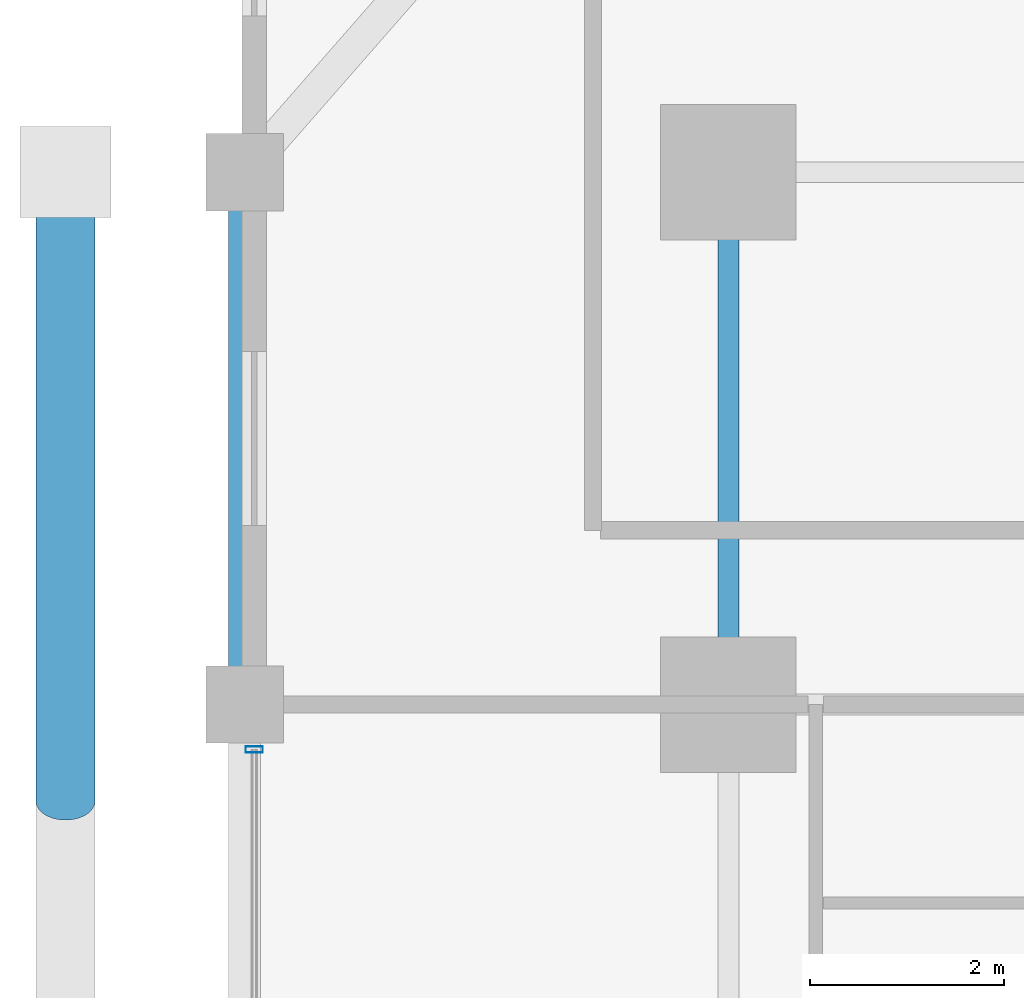
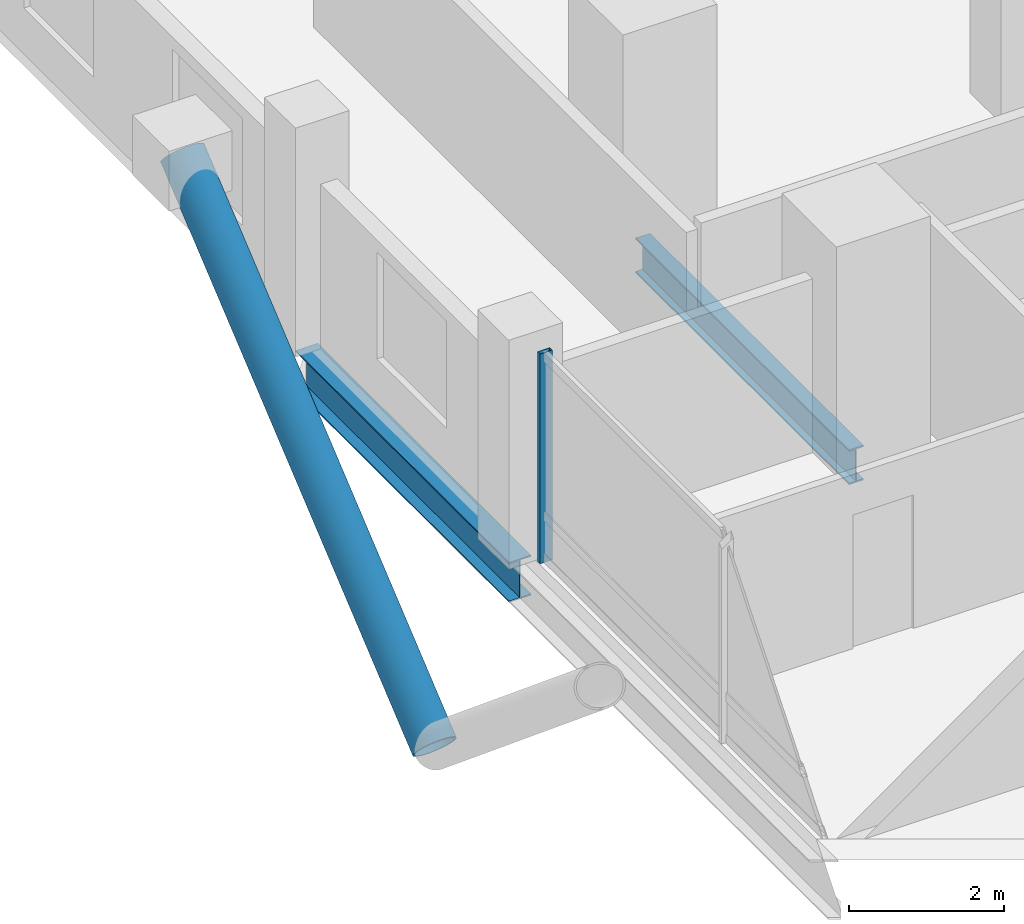
# One storey, part 11 of 24: 2 beams, 2 members, 1 element without a shape of its own.
"""IFC4 building model written with IfcOpenShell, lengths in metres."""

from ifc_helpers import new_model, si_unit, direction, frame, origin, origin_2d, place, context, subcontext, project, spatial, hollow_rectangle, hollow_circle, i_section, extrude, material, layer, layer_set, material_profile, profile_set, type_object, element, aggregate, save


model = new_model("IFC4")

# Units and contexts
model_context = context("Model", 3, precision=1e-05, world=origin(), true_north=direction((0.0, 1.0)))
body_context = subcontext(model_context, "Body", "Model", "MODEL_VIEW")
ifc_project = project(units=[si_unit("LENGTHUNIT", "METRE"), si_unit("AREAUNIT", "SQUARE_METRE"), si_unit("VOLUMEUNIT", "CUBIC_METRE"), si_unit("PLANEANGLEUNIT", "RADIAN"), si_unit("MASSUNIT", "GRAM", prefix="KILO")], contexts=[model_context])

# Site, building, storey
site_placement = place(None, origin())
site = spatial("IfcSite", under=ifc_project, at=site_placement, CompositionType="ELEMENT")
building_placement = place(site_placement, origin())
building = spatial("IfcBuilding", under=site, at=building_placement, Name="Barlavira Tower and Art Museum", CompositionType="ELEMENT")
storey_placement = place(building_placement, frame((0.0, 0.0, 90.0)))
storey = spatial("IfcBuildingStorey", under=building, at=storey_placement, Name="L22", CompositionType="ELEMENT", Elevation=90.0)

# Curtain wall, member
ifc_material_1 = material(Name="Low-iron coastal laminated glass", Category="glass")
ifc_layer = layer(ifc_material_1, 0.179931640625, Name="Low-iron coastal laminated glass")
ifc_layer_set = layer_set([ifc_layer], Name="Low-iron coastal laminated glass")
curtain_wall_type = type_object("IfcCurtainWallType", Name="Pale-Metal Unitised Curtain Wall Zone 1", PredefinedType="NOTDEFINED", material=ifc_layer_set)
curtain_wall_placement = place(storey_placement, origin())
curtain_wall = element("IfcCurtainWall", 1, at=curtain_wall_placement, inside=storey, type_object=curtain_wall_type, Name="L22 Curtain Wall CW1-L22-W-B3", PredefinedType="NOTDEFINED")
ifc_material_2 = material(Name="Pale anodised aluminium", Category="aluminium")
ifc_material_profile_1 = material_profile(ifc_material_2, hollow_rectangle(XDim=0.06494140625, YDim=0.179931640625, WallThickness=0.00390625, at=origin_2d()), Name="ALU-MULL 65x180x4")
ifc_profile_set_1 = profile_set([ifc_material_profile_1], Name="Pale anodised aluminium")
member_type_1 = type_object("IfcMemberType", Name="Curtain Wall Pale-Metal Mullion 65x180", PredefinedType="MULLION", material=ifc_profile_set_1)
member_1_placement = place(storey_placement, frame((-21.89990234375, 7.034912109375, 0.0), z_axis=(0.0, 0.0, 1.0), x_axis=(0.0, -1.0, 0.0)))
member_1 = element("IfcMember", 2, at=member_1_placement, type_object=member_type_1, Name="CW1-L22-W-B3 Mullion 0", PredefinedType="MULLION", context=body_context, shape_type="SweptSolid", body=[
    extrude(hollow_rectangle(XDim=0.06494140625, YDim=0.179931640625, WallThickness=0.00390625, at=origin_2d()), origin(), (0.0, 0.0, 1.0), 3.300048828125),
])
aggregate(curtain_wall, [member_1])

# Member
ifc_material_3 = material(Name="Steel S355", Category="steel")
ifc_material_profile_2 = material_profile(ifc_material_3, hollow_circle(Radius=0.304931640625, WallThickness=0.028076171875, at=origin_2d()), Name="CHS 610.0x28.0")
ifc_profile_set_2 = profile_set([ifc_material_profile_2], Name="Steel S355")
member_type_2 = type_object("IfcMemberType", Name="Pale-Metal Exoskeleton Diagrid Tube CHS 610x28 Steel S355", PredefinedType="BRACE", material=ifc_profile_set_2)
member_2_placement = place(storey_placement, frame((-23.85009765625, 6.5, -1.919921875), z_axis=(0.0, 0.769196053329, 0.639012857104), x_axis=(-1.0, 0.0, 0.0)))
element("IfcMember", 3, at=member_2_placement, inside=storey, type_object=member_type_2, Name="L22 Exoskeleton Diagrid Tube W", PredefinedType="BRACE", context=body_context, shape_type="SweptSolid", body=[
    extrude(hollow_circle(Radius=0.304931640625, WallThickness=0.028076171875, at=origin_2d()), origin(), (0.0, 0.0, 1.0), 8.450439453125),
])

# Beams
ifc_material_profile_3 = material_profile(ifc_material_3, i_section(OverallWidth=0.327880859375, OverallDepth=0.62890625, WebThickness=0.013916015625, FlangeThickness=0.021484375, at=origin_2d()), Name="W610x174.0")
ifc_profile_set_3 = profile_set([ifc_material_profile_3], Name="Steel S355")
beam_type_1 = type_object("IfcBeamType", Name="Perimeter Spandrel Edge Beam W610x174 Steel S355", PredefinedType="SPANDREL", material=ifc_profile_set_3)
beam_1_placement = place(storey_placement, frame((-22.0, 7.5, -0.534423828125), z_axis=(0.0, 1.0, 0.0), x_axis=(-1.0, 0.0, 0.0)))
element("IfcBeam", 4, at=beam_1_placement, inside=storey, type_object=beam_type_1, Name="L22 Spandrel 13", PredefinedType="SPANDREL", context=body_context, shape_type="SweptSolid", body=[
    extrude(i_section(OverallWidth=0.327880859375, OverallDepth=0.62890625, WebThickness=0.013916015625, FlangeThickness=0.021484375, at=origin_2d()), origin(), (0.0, 0.0, 1.0), 5.5),
])
ifc_material_profile_4 = material_profile(ifc_material_3, i_section(OverallWidth=0.214111328125, OverallDepth=0.549072265625, WebThickness=0.0146484375, FlangeThickness=0.023681640625, at=origin_2d()), Name="W530x138.0")
ifc_profile_set_4 = profile_set([ifc_material_profile_4], Name="Steel S355")
beam_type_2 = type_object("IfcBeamType", Name="Zone 1 Primary Floor Girder W530x138 Steel S355", PredefinedType="BEAM", material=ifc_profile_set_4)
beam_2_placement = place(storey_placement, frame((-17.0, 7.5, -0.494384765625), z_axis=(0.0, 1.0, 0.0), x_axis=(-1.0, 0.0, 0.0)))
element("IfcBeam", 5, at=beam_2_placement, inside=storey, type_object=beam_type_2, Name="L22 Girder M-W3", PredefinedType="BEAM", context=body_context, shape_type="SweptSolid", body=[
    extrude(i_section(OverallWidth=0.214111328125, OverallDepth=0.549072265625, WebThickness=0.0146484375, FlangeThickness=0.023681640625, at=origin_2d()), origin(), (0.0, 0.0, 1.0), 5.5),
])

save(model, "model.ifc")
